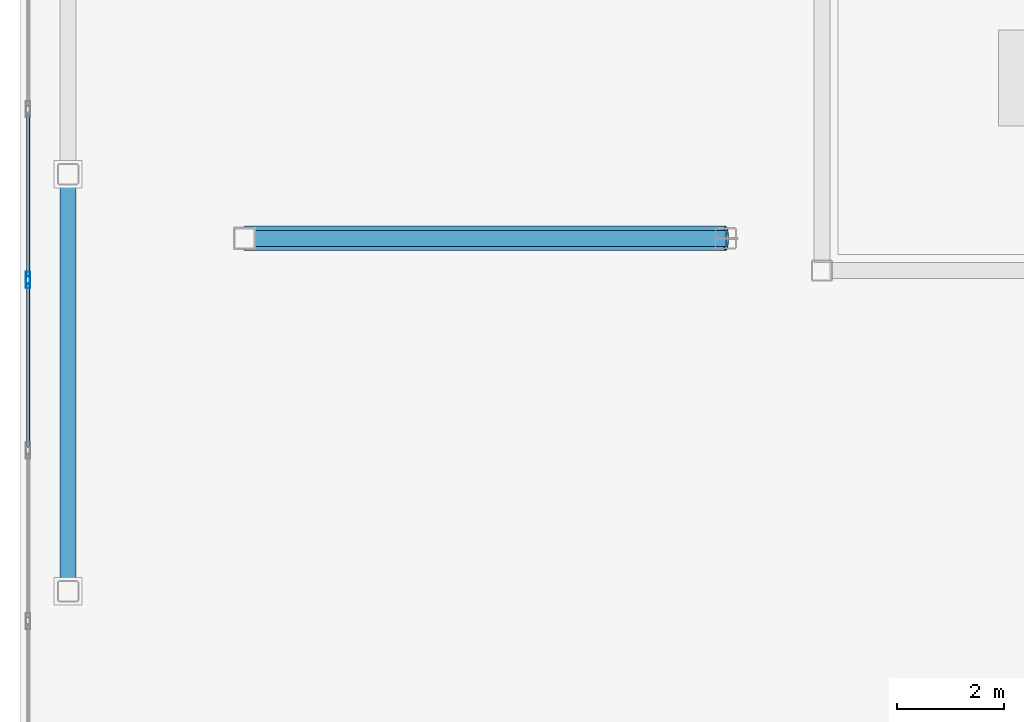
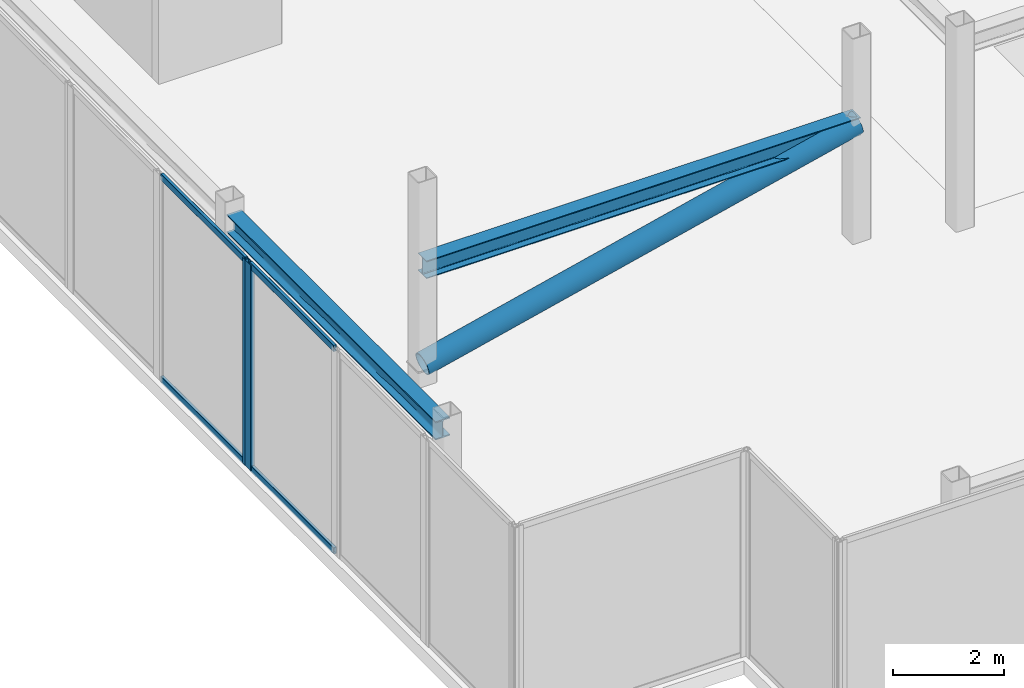
# One storey, part 3 of 18: 7 members, 2 beams, 2 elements without a shape of their own.
"""IFC4 building model written with IfcOpenShell, lengths in metres."""

from ifc_helpers import new_model, si_unit, direction, frame, origin, origin_2d, place, context, subcontext, project, spatial, hollow_rectangle, hollow_circle, i_section, extrude, material, layer, layer_set, material_profile, profile_set, type_object, element, aggregate, save


model = new_model("IFC4")

# Units and contexts
model_context = context("Model", 3, precision=1e-05, world=origin(), true_north=direction((0.0, 1.0)))
body_context = subcontext(model_context, "Body", "Model", "MODEL_VIEW")
ifc_project = project(units=[si_unit("LENGTHUNIT", "METRE"), si_unit("AREAUNIT", "SQUARE_METRE"), si_unit("VOLUMEUNIT", "CUBIC_METRE"), si_unit("PLANEANGLEUNIT", "RADIAN"), si_unit("MASSUNIT", "GRAM", prefix="KILO")], contexts=[model_context])

# Site, building, storey
site_placement = place(None, origin())
site = spatial("IfcSite", under=ifc_project, at=site_placement, CompositionType="ELEMENT")
building_placement = place(site_placement, origin())
building = spatial("IfcBuilding", under=site, at=building_placement, Name="Tarnavaz Court Tower", CompositionType="ELEMENT")
storey_placement = place(building_placement, frame((0.0, 0.0, 281.550048828125)))
storey = spatial("IfcBuildingStorey", under=building, at=storey_placement, Name="C01", CompositionType="ELEMENT", Elevation=281.550048828125)

# Beams
ifc_material_1 = material(Name="Steel S355", Category="steel")
ifc_material_profile_1 = material_profile(ifc_material_1, i_section(OverallWidth=0.300048828125, OverallDepth=0.389892578125, WebThickness=0.010986328125, FlangeThickness=0.01904296875, FilletRadius=0.027099609375, at=origin_2d()), Name="HEA 400")
ifc_profile_set_1 = profile_set([ifc_material_profile_1], Name="Steel S355")
beam_type_1 = type_object("IfcBeamType", Name="BM-CR-IPE300", PredefinedType="USERDEFINED", material=ifc_profile_set_1)
beam_1_placement = place(storey_placement, frame((-18.60009765625, -7.199951171875, 2.5), z_axis=(1.0, 0.0, 0.0), x_axis=(0.0, 1.0, 0.0)))
element("IfcBeam", 1, at=beam_1_placement, inside=storey, type_object=beam_type_1, Name="C01 Crown Frame W Core Tie Beam", ObjectType="CROWN FRAME", PredefinedType="USERDEFINED", context=body_context, shape_type="SweptSolid", body=[
    extrude(i_section(OverallWidth=0.300048828125, OverallDepth=0.389892578125, WebThickness=0.010986328125, FlangeThickness=0.01904296875, FilletRadius=0.027099609375, at=origin_2d()), origin(), (0.0, 0.0, 1.0), 9.0),
])
ifc_material_profile_2 = material_profile(ifc_material_1, i_section(OverallWidth=0.300048828125, OverallDepth=0.39990234375, WebThickness=0.013427734375, FlangeThickness=0.02392578125, FilletRadius=0.027099609375, at=origin_2d()), Name="HEB 400")
ifc_profile_set_2 = profile_set([ifc_material_profile_2], Name="Steel S355")
beam_type_2 = type_object("IfcBeamType", Name="BM-G-HEB400", PredefinedType="USERDEFINED", material=ifc_profile_set_2)
beam_2_placement = place(storey_placement, frame((-21.89990234375, -13.64990234375, 4.0), z_axis=(0.0, 1.0, 0.0), x_axis=(-1.0, 0.0, 0.0)))
element("IfcBeam", 2, at=beam_2_placement, inside=storey, type_object=beam_type_2, Name="C01 Beam CRG-PW-1-PW-2", ObjectType="GIRDER", PredefinedType="USERDEFINED", context=body_context, shape_type="SweptSolid", body=[
    extrude(i_section(OverallWidth=0.300048828125, OverallDepth=0.39990234375, WebThickness=0.013427734375, FlangeThickness=0.02392578125, FilletRadius=0.027099609375, at=origin_2d()), origin(), (0.0, 0.0, 1.0), 7.5),
])

# Curtain wall, member
ifc_material_2 = material(Name="Anodised Aluminium 6063-T6 and Solar Low-E Glazing", Category="aluminium")
ifc_layer = layer(ifc_material_2, 0.2099609375)
ifc_layer_set = layer_set([ifc_layer], Name="Anodised Aluminium 6063-T6 and Solar Low-E Glazing")
curtain_wall_type = type_object("IfcCurtainWallType", Name="CW-SYS-06", PredefinedType="NOTDEFINED", material=ifc_layer_set)
curtain_wall_1_placement = place(storey_placement, origin())
curtain_wall_1 = element("IfcCurtainWall", 3, at=curtain_wall_1_placement, inside=storey, type_object=curtain_wall_type, Name="C01 Slanted Crown Terracotta Curtain Wall 6", PredefinedType="NOTDEFINED")
ifc_material_3 = material(Name="Anodised Aluminium 6063-T6", Category="aluminium")
ifc_material_profile_3 = material_profile(ifc_material_3, hollow_rectangle(XDim=0.0849609375, YDim=0.219970703125, WallThickness=0.006103515625, InnerFilletRadius=0.006103515625, OuterFilletRadius=0.011962890625, at=origin_2d()), Name="ALU RHS 220X85X6")
ifc_profile_set_3 = profile_set([ifc_material_profile_3], Name="Anodised Aluminium 6063-T6")
member_type_1 = type_object("IfcMemberType", Name="CW-MUL-220", PredefinedType="MULLION", material=ifc_profile_set_3)
member_1_placement = place(storey_placement, frame((-22.64990234375, -8.019775390625, 0.0), z_axis=(0.0, 0.0, 1.0), x_axis=(-1.0, 0.0, 0.0)))
member_1 = element("IfcMember", 4, at=member_1_placement, type_object=member_type_1, Name="CW mullion 2", PredefinedType="MULLION", context=body_context, shape_type="SweptSolid", body=[
    extrude(hollow_rectangle(XDim=0.0849609375, YDim=0.219970703125, WallThickness=0.006103515625, InnerFilletRadius=0.006103515625, OuterFilletRadius=0.011962890625, at=origin_2d()), origin(), (0.0, 0.0, 1.0), 4.5),
])

curtain_wall_2_placement = place(storey_placement, origin())
curtain_wall_2 = element("IfcCurtainWall", 5, at=curtain_wall_2_placement, inside=storey, type_object=curtain_wall_type, Name="C01 Slanted Crown Terracotta Curtain Wall 7", PredefinedType="NOTDEFINED")
member_2_placement = place(storey_placement, frame((-22.64990234375, -7.934814453125, 0.0), z_axis=(0.0, 0.0, 1.0), x_axis=(-1.0, 0.0, 0.0)))
member_2 = element("IfcMember", 6, at=member_2_placement, type_object=member_type_1, Name="CW mullion 1", PredefinedType="MULLION", context=body_context, shape_type="SweptSolid", body=[
    extrude(hollow_rectangle(XDim=0.0849609375, YDim=0.219970703125, WallThickness=0.006103515625, InnerFilletRadius=0.006103515625, OuterFilletRadius=0.011962890625, at=origin_2d()), origin(), (0.0, 0.0, 1.0), 4.5),
])

# Member
ifc_material_profile_4 = material_profile(ifc_material_3, hollow_rectangle(XDim=0.06494140625, YDim=0.139892578125, WallThickness=0.00390625, InnerFilletRadius=0.00390625, OuterFilletRadius=0.008056640625, at=origin_2d()), Name="ALU RHS 140X65X4")
ifc_profile_set_4 = profile_set([ifc_material_profile_4], Name="Anodised Aluminium 6063-T6")
member_type_2 = type_object("IfcMemberType", Name="CW-TRN-140", PredefinedType="USERDEFINED", material=ifc_profile_set_4)
member_3_placement = place(storey_placement, frame((-22.64990234375, -11.083251953125, 0.032470703125), z_axis=(0.0, 1.0, 0.0), x_axis=(-1.0, 0.0, 0.0)))
member_3 = element("IfcMember", 7, at=member_3_placement, type_object=member_type_2, Name="CW transom 1.1", ObjectType="TRANSOM", PredefinedType="USERDEFINED", context=body_context, shape_type="SweptSolid", body=[
    extrude(hollow_rectangle(XDim=0.06494140625, YDim=0.139892578125, WallThickness=0.00390625, InnerFilletRadius=0.00390625, OuterFilletRadius=0.008056640625, at=origin_2d()), origin(), (0.0, 0.0, 1.0), 3.02099609375),
])

member_4_placement = place(storey_placement, frame((-22.64990234375, -11.083251953125, 4.467529296875), z_axis=(0.0, 1.0, 0.0), x_axis=(-1.0, 0.0, 0.0)))
member_4 = element("IfcMember", 8, at=member_4_placement, type_object=member_type_2, Name="CW transom 1.2", ObjectType="TRANSOM", PredefinedType="USERDEFINED", context=body_context, shape_type="SweptSolid", body=[
    extrude(hollow_rectangle(XDim=0.06494140625, YDim=0.139892578125, WallThickness=0.00390625, InnerFilletRadius=0.00390625, OuterFilletRadius=0.008056640625, at=origin_2d()), origin(), (0.0, 0.0, 1.0), 3.02099609375),
])

aggregate(curtain_wall_1, [member_1, member_3, member_4])

member_5_placement = place(storey_placement, frame((-22.64990234375, -7.892333984375, 0.032470703125), z_axis=(0.0, 1.0, 0.0), x_axis=(-1.0, 0.0, 0.0)))
member_5 = element("IfcMember", 9, at=member_5_placement, type_object=member_type_2, Name="CW transom 1.1", ObjectType="TRANSOM", PredefinedType="USERDEFINED", context=body_context, shape_type="SweptSolid", body=[
    extrude(hollow_rectangle(XDim=0.06494140625, YDim=0.139892578125, WallThickness=0.00390625, InnerFilletRadius=0.00390625, OuterFilletRadius=0.008056640625, at=origin_2d()), origin(), (0.0, 0.0, 1.0), 3.02099609375),
])

member_6_placement = place(storey_placement, frame((-22.64990234375, -7.892333984375, 4.467529296875), z_axis=(0.0, 1.0, 0.0), x_axis=(-1.0, 0.0, 0.0)))
member_6 = element("IfcMember", 10, at=member_6_placement, type_object=member_type_2, Name="CW transom 1.2", ObjectType="TRANSOM", PredefinedType="USERDEFINED", context=body_context, shape_type="SweptSolid", body=[
    extrude(hollow_rectangle(XDim=0.06494140625, YDim=0.139892578125, WallThickness=0.00390625, InnerFilletRadius=0.00390625, OuterFilletRadius=0.008056640625, at=origin_2d()), origin(), (0.0, 0.0, 1.0), 3.02099609375),
])

aggregate(curtain_wall_2, [member_2, member_5, member_6])

ifc_material_profile_5 = material_profile(ifc_material_1, hollow_circle(Radius=0.228515625, WallThickness=0.02001953125, at=origin_2d()), Name="CHS 457X20")
ifc_profile_set_5 = profile_set([ifc_material_profile_5], Name="Steel S355")
member_type_3 = type_object("IfcMemberType", Name="MB-CR-CHS273", PredefinedType="USERDEFINED", material=ifc_profile_set_5)
member_7_placement = place(storey_placement, frame((-18.60009765625, -7.199951171875, 0.349853515625), z_axis=(0.972628429945, 0.0, 0.232365955472), x_axis=(0.0, 1.0, 0.0)))
element("IfcMember", 11, at=member_7_placement, inside=storey, type_object=member_type_3, Name="C01 Crown Frame W Wind Brace", ObjectType="CROWN FRAME", PredefinedType="USERDEFINED", context=body_context, shape_type="SweptSolid", body=[
    extrude(hollow_circle(Radius=0.228515625, WallThickness=0.02001953125, at=origin_2d()), origin(), (0.0, 0.0, 1.0), 9.253173828125),
])

save(model, "model.ifc")
